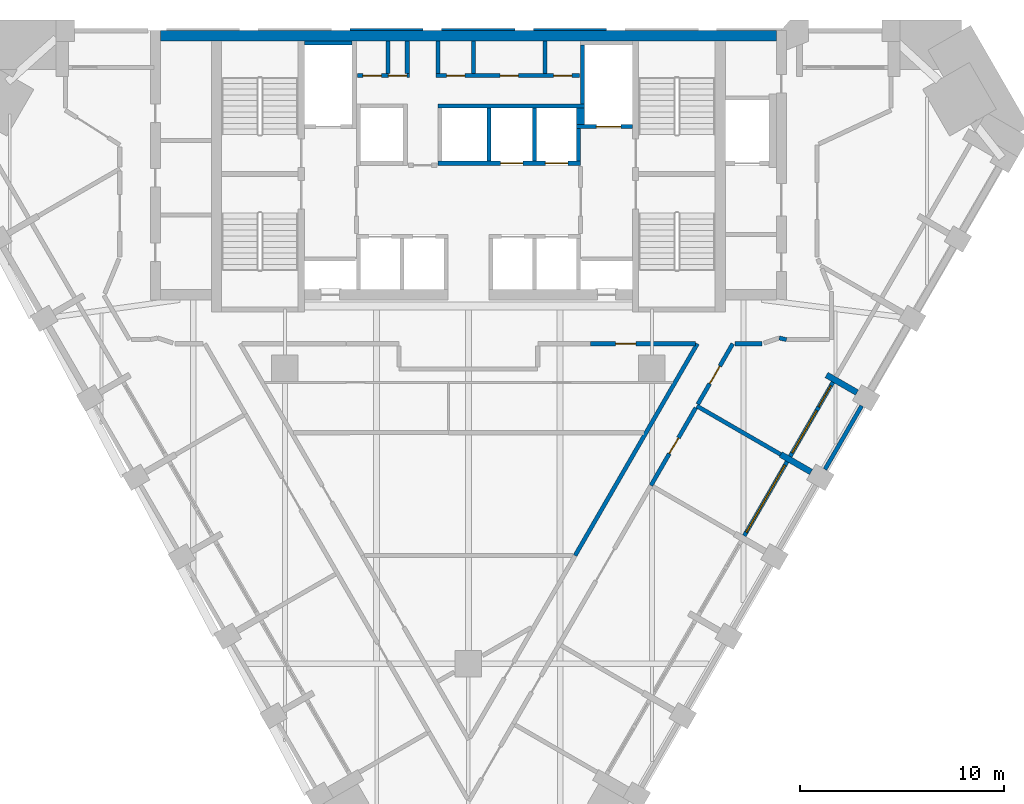
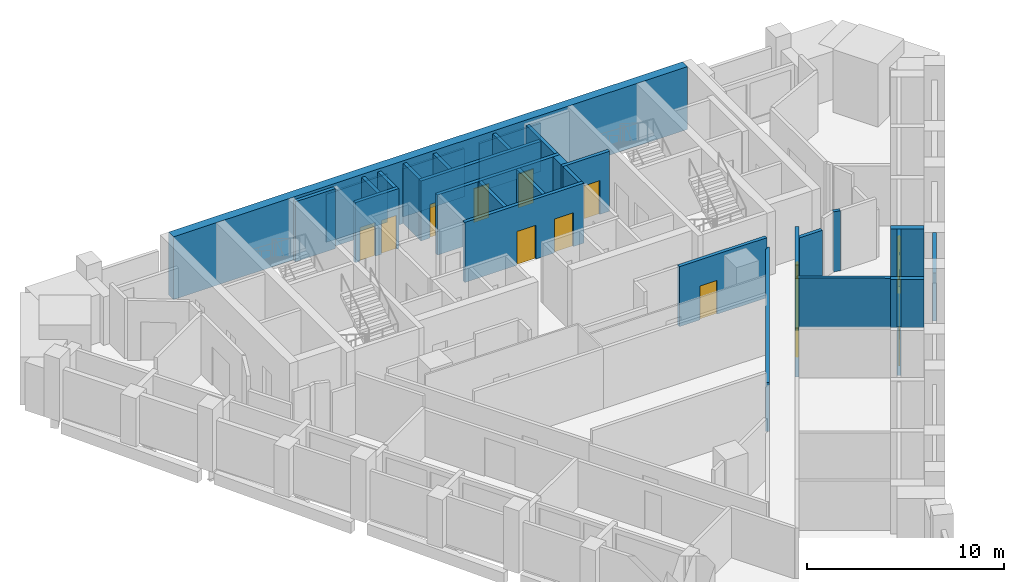
# One storey, part 6 of 9: 32 walls, 12 doors, 2 windows, 14 openings.
"""IFC4 building model written with IfcOpenShell, lengths in metres."""

from ifc_helpers import new_model, si_unit, direction, frame, frame_2d, origin, place, context, subcontext, project, spatial, polyline, rectangle, outline, extrude, material, layer, layer_set, type_object, element, fill, save


model = new_model("IFC4")

# Units and contexts
model_context = context("Model", 3, precision=1e-05, world=origin(), true_north=direction((0.0, 1.0)))
body_context = subcontext(model_context, "Body", "Model", "MODEL_VIEW")
ifc_project = project(units=[si_unit("LENGTHUNIT", "METRE"), si_unit("AREAUNIT", "SQUARE_METRE"), si_unit("VOLUMEUNIT", "CUBIC_METRE"), si_unit("PLANEANGLEUNIT", "RADIAN"), si_unit("MASSUNIT", "GRAM", prefix="KILO")], contexts=[model_context])

# Site, building, storey
site_placement = place(None, origin())
site = spatial("IfcSite", under=ifc_project, at=site_placement, CompositionType="ELEMENT")
building_placement = place(site_placement, origin())
building = spatial("IfcBuilding", under=site, at=building_placement, Name="Calabash Gate Tower", CompositionType="ELEMENT")
storey_placement = place(building_placement, frame((0.0, 0.0, 171.89990234375)))
storey = spatial("IfcBuildingStorey", under=building, at=storey_placement, Name="L40", CompositionType="ELEMENT", Elevation=171.89990234375)

# Walls
ifc_material_1 = material(Name="Terracotta brick masonry, exposed face", Category="masonry")
ifc_layer_1 = layer(ifc_material_1, 0.300048828125)
ifc_layer_set_1 = layer_set([ifc_layer_1], Name="Brick loggia cheek wall 300")
wall_type_1 = type_object("IfcWallType", Name="Brick loggia cheek wall 300", PredefinedType="SOLIDWALL", material=ifc_layer_set_1)
wall_1_placement = place(storey_placement, frame((16.807373046875, -2.59228515625, 0.0), z_axis=(0.0, 0.0, 1.0), x_axis=(-0.865994550583, 0.500053435504, 0.0)))
element("IfcWall", 1, at=wall_1_placement, inside=storey, type_object=wall_type_1, Name="Loggia cheek S11 SE4.4", PredefinedType="SOLIDWALL", context=body_context, shape_type="SweptSolid", body=[
    extrude(rectangle(XDim=1.723876953125, YDim=0.300048828125, at=frame_2d((0.86181640625, 0.0))), origin(), (0.0, 0.0, 1.0), 3.0),
])
wall_2_placement = place(storey_placement, frame((19.058349609375, 1.30419921875, 0.0), z_axis=(0.0, 0.0, 1.0), x_axis=(-0.866013532718, 0.500020560727, 0.0)))
element("IfcWall", 2, at=wall_2_placement, inside=storey, type_object=wall_type_1, Name="Loggia cheek S11 SE4.5", PredefinedType="SOLIDWALL", context=body_context, shape_type="SweptSolid", body=[
    extrude(rectangle(XDim=1.72509765625, YDim=0.300048828125, at=frame_2d((0.862548828125, 0.0))), origin(), (0.0, 0.0, 1.0), 3.0),
])
ifc_material_2 = material(Name="Gypsum board on steel studs, mineral wool", Category="steel")
ifc_layer_2 = layer(ifc_material_2, 0.199951171875)
ifc_layer_set_2 = layer_set([ifc_layer_2], Name="Core partition 200 gypsum board")
wall_type_2 = type_object("IfcWallType", Name="Core partition 200 gypsum board", PredefinedType="PARTITIONING", material=ifc_layer_set_2)
for number, where, z_axis, x_axis, name in (
    (3, (-3.949951171875, 16.95263671875, 0.0), (0.0, 0.0, 1.0), (0.0, 1.0, 0.0), "Core partition"),
    (4, (-3.0, 16.95263671875, 0.0), (0.0, 0.0, 1.0), (0.0, 1.0, 0.0), "Core partition"),
    (5, (-1.5, 16.95263671875, 0.0), (0.0, 0.0, 1.0), (0.0, 1.0, 0.0), "Core partition"),
    (6, (0.25, 16.95263671875, 0.0), (0.0, 0.0, 1.0), (0.0, 1.0, 0.0), "Core partition"),
    (7, (3.75, 16.95263671875, 0.0), (0.0, 0.0, 1.0), (0.0, 1.0, 0.0), "Core partition"),
):
    element("IfcWall", number, at=place(storey_placement, frame(where, z_axis=z_axis, x_axis=x_axis)), inside=storey, type_object=wall_type_2, Name=name, PredefinedType="PARTITIONING", context=body_context, shape_type="SweptSolid", body=[
        extrude(rectangle(XDim=1.599853515625, YDim=0.199951171875, at=frame_2d((0.7998046875, 0.0))), origin(), (0.0, 0.0, 1.0), 3.72998046875),
    ])
ifc_material_3 = material(Name="Concrete C70/85", Category="concrete")
ifc_layer_3 = layer(ifc_material_3, 0.5)
ifc_layer_set_3 = layer_set([ifc_layer_3], Name="Core wall 500 Concrete C70/85")
wall_type_3 = type_object("IfcWallType", Name="Core wall 500 Concrete C70/85", PredefinedType="SHEAR", material=ifc_layer_set_3)
wall_3_placement = place(storey_placement, frame((-15.10009765625, 18.802490234375, 0.0), z_axis=(0.0, 0.0, 1.0), x_axis=(1.0, 0.0, 0.0)))
element("IfcWall", 8, at=wall_3_placement, inside=storey, type_object=wall_type_3, Name="Core wall Z3-N L40", PredefinedType="SHEAR", context=body_context, shape_type="SweptSolid", body=[
    extrude(rectangle(XDim=30.2001953125, YDim=0.5, at=frame_2d((15.10009765625, 0.0))), origin(), (0.0, 0.0, 1.0), 3.900146484375),
])
ifc_material_4 = material(Name="Gypsum board on steel studs, mineral wool", Category="steel")
ifc_layer_4 = layer(ifc_material_4, 0.199951171875)
ifc_layer_set_4 = layer_set([ifc_layer_4], Name="Partition 200 gypsum board EI 60")
wall_type_4 = type_object("IfcWallType", Name="Partition 200 gypsum board EI 60", PredefinedType="PARTITIONING", material=ifc_layer_set_4)
wall_4_placement = place(storey_placement, frame((5.232666015625, -6.6884765625, 0.0), z_axis=(0.0, 0.0, 1.0), x_axis=(0.499991401208, 0.866030368243, 0.0)))
element("IfcWall", 9, at=wall_4_placement, inside=storey, type_object=wall_type_4, Name="Partition", PredefinedType="PARTITIONING", context=body_context, shape_type="SweptSolid", body=[
    extrude(rectangle(XDim=11.996337890625, YDim=0.199951171875, at=frame_2d((5.998046875, 0.0))), origin(), (0.0, 0.0, 1.0), 3.052001953125),
])

# Wall, opening, door
wall_5_placement = place(storey_placement, frame((8.95361328125, -3.251708984375, 0.0), z_axis=(0.0, 0.0, 1.0), x_axis=(0.499989943423, 0.866031209874, 0.0)))
wall_5 = element("IfcWall", 10, at=wall_5_placement, inside=storey, type_object=wall_type_4, Name="Partition", PredefinedType="PARTITIONING", context=body_context, shape_type="SweptSolid", body=[
    extrude(rectangle(XDim=4.39794921875, YDim=0.199951171875, at=frame_2d((2.198974609375, 0.0))), origin(), (0.0, 0.0, 1.0), 3.052001953125),
])
opening_1_placement = place(wall_5_placement, frame((1.798095703125, 0.0, 0.0)))
opening_1 = element("IfcOpeningElement", 11, at=opening_1_placement, cuts=wall_5, Name="Opening 39-41-005", PredefinedType="OPENING", context=body_context, shape_type="SweptSolid", body=[
    extrude(rectangle(XDim=0.89990234375, YDim=2.10009765625, at=frame_2d((0.449951171875, 1.050048828125))), frame((0.0, 0.10986328125, 0.0), z_axis=(0.0, -1.0, 0.0), x_axis=(1.0, 0.0, 0.0)), (0.0, 0.0, 1.0), 0.219970703125),
])
ifc_material_5 = material(Name="Steel fire door set with fire-resisting glazing", Category="steel")
door_type_1 = type_object("IfcDoorType", Name="SD3 Store door 900x2100", OperationType="NOTDEFINED", PredefinedType="DOOR", material=ifc_material_5)
door_1_placement = place(opening_1_placement, origin())
door_1 = element("IfcDoor", 12, at=door_1_placement, inside=storey, type_object=door_type_1, Name="Store door", OperationType="SINGLE_SWING_LEFT", OverallHeight=2.10009765625, OverallWidth=0.89990234375, PredefinedType="DOOR", context=body_context, shape_type="SweptSolid", body=[
    extrude(rectangle(XDim=0.89990234375, YDim=2.10009765625, at=frame_2d((0.449951171875, 1.050048828125))), frame((0.0, 0.02490234375, 0.0), z_axis=(0.0, -1.0, 0.0), x_axis=(1.0, 0.0, 0.0)), (0.0, 0.0, 1.0), 0.050048828125),
])
fill(opening_1, door_1)

# Wall
wall_6_placement = place(storey_placement, frame((11.2021484375, 0.646240234375, 0.0), z_axis=(0.0, 0.0, 1.0), x_axis=(0.865857651242, -0.500290443428, 0.0)))
element("IfcWall", 13, at=wall_6_placement, inside=storey, type_object=wall_type_4, Name="Partition", PredefinedType="PARTITIONING", context=body_context, shape_type="SweptSolid", body=[
    extrude(rectangle(XDim=4.749755859375, YDim=0.199951171875, at=frame_2d((2.375, 0.0))), origin(), (0.0, 0.0, 1.0), 3.052001953125),
])

# Wall, opening, door
wall_7_placement = place(storey_placement, frame((5.99365234375, 3.699951171875, 0.0), z_axis=(0.0, 0.0, 1.0), x_axis=(0.999999998871, -4.7510452e-05, 0.0)))
wall_7 = element("IfcWall", 14, at=wall_7_placement, inside=storey, type_object=wall_type_4, Name="Partition", PredefinedType="PARTITIONING", context=body_context, shape_type="SweptSolid", body=[
    extrude(rectangle(XDim=5.138671875, YDim=0.199951171875, at=frame_2d((2.5693359375, 0.0))), origin(), (0.0, 0.0, 1.0), 3.72998046875),
])
opening_2_placement = place(wall_7_placement, frame((1.222412109375, 0.0, 0.0)))
opening_2 = element("IfcOpeningElement", 15, at=opening_2_placement, cuts=wall_7, Name="Opening 39-41-014", PredefinedType="OPENING", context=body_context, shape_type="SweptSolid", body=[
    extrude(rectangle(XDim=1.0, YDim=2.10009765625, at=frame_2d((0.5, 1.050048828125))), frame((0.0, 0.10986328125, 0.0), z_axis=(0.0, -1.0, 0.0), x_axis=(1.0, 0.0, 0.0)), (0.0, 0.0, 1.0), 0.219970703125),
])
ifc_material_6 = material(Name="Steel fire door set with fire-resisting glazing", Category="steel")
door_type_2 = type_object("IfcDoorType", Name="WD3 WC lobby door 1000x2100", OperationType="NOTDEFINED", PredefinedType="DOOR", material=ifc_material_6)
door_2_placement = place(opening_2_placement, origin())
door_2 = element("IfcDoor", 16, at=door_2_placement, inside=storey, type_object=door_type_2, Name="WC lobby door", OperationType="SINGLE_SWING_RIGHT", OverallHeight=2.10009765625, OverallWidth=1.0, PredefinedType="DOOR", context=body_context, shape_type="SweptSolid", body=[
    extrude(rectangle(XDim=1.0, YDim=2.10009765625, at=frame_2d((0.5, 1.050048828125))), frame((0.0, 0.02490234375, 0.0), z_axis=(0.0, -1.0, 0.0), x_axis=(1.0, 0.0, 0.0)), (0.0, 0.0, 1.0), 0.050048828125),
])
fill(opening_2, door_2)

wall_8_placement = place(storey_placement, frame((11.252685546875, 0.730712890625, 0.0), z_axis=(0.0, 0.0, 1.0), x_axis=(0.499648448578, 0.866228276976, 0.0)))
wall_8 = element("IfcWall", 17, at=wall_8_placement, inside=storey, type_object=wall_type_4, Name="Partition", PredefinedType="PARTITIONING", context=body_context, shape_type="SweptSolid", body=[
    extrude(rectangle(XDim=3.42724609375, YDim=0.199951171875, at=frame_2d((1.713623046875, 0.0))), origin(), (0.0, 0.0, 1.0), 3.72998046875),
])
opening_3_placement = place(wall_8_placement, frame((1.163818359375, 0.0, 0.0)))
opening_3 = element("IfcOpeningElement", 18, at=opening_3_placement, cuts=wall_8, Name="Opening 39-41-012", PredefinedType="OPENING", context=body_context, shape_type="SweptSolid", body=[
    extrude(rectangle(XDim=1.0, YDim=2.39990234375, at=frame_2d((0.5, 1.199951171875))), frame((0.0, 0.10986328125, 0.0), z_axis=(0.0, -1.0, 0.0), x_axis=(1.0, 0.0, 0.0)), (0.0, 0.0, 1.0), 0.219970703125),
])
ifc_material_7 = material(Name="Painted timber door", Category="wood")
door_type_3 = type_object("IfcDoorType", Name="OD2 Glazed office door 1000x2400", OperationType="NOTDEFINED", PredefinedType="DOOR", material=ifc_material_7)
door_3_placement = place(opening_3_placement, origin())
door_3 = element("IfcDoor", 19, at=door_3_placement, inside=storey, type_object=door_type_3, Name="Glazed office door", OperationType="SINGLE_SWING_RIGHT", OverallHeight=2.39990234375, OverallWidth=1.0, PredefinedType="DOOR", context=body_context, shape_type="SweptSolid", body=[
    extrude(rectangle(XDim=1.0, YDim=2.39990234375, at=frame_2d((0.5, 1.199951171875))), frame((0.0, 0.02490234375, 0.0), z_axis=(0.0, -1.0, 0.0), x_axis=(1.0, 0.0, 0.0)), (0.0, 0.0, 1.0), 0.050048828125),
])
fill(opening_3, door_3)

# Walls
wall_9_placement = place(storey_placement, frame((13.065185546875, 3.699462890625, 0.0), z_axis=(0.0, 0.0, 1.0), x_axis=(1.0, 0.0, 0.0)))
element("IfcWall", 20, at=wall_9_placement, inside=storey, type_object=wall_type_4, Name="Partition", PredefinedType="PARTITIONING", context=body_context, shape_type="SweptSolid", body=[
    extrude(rectangle(XDim=1.3349609375, YDim=0.199951171875, at=frame_2d((0.66748046875, 0.0))), origin(), (0.0, 0.0, 1.0), 3.052001953125),
])
wall_10_placement = place(storey_placement, frame((15.24560546875, 3.9814453125, 0.0), z_axis=(0.0, 0.0, 1.0), x_axis=(0.974255315496, -0.225447511024, 0.0)))
element("IfcWall", 21, at=wall_10_placement, inside=storey, type_object=wall_type_4, Name="Partition", PredefinedType="PARTITIONING", context=body_context, shape_type="SweptSolid", body=[
    extrude(rectangle(XDim=0.36376953125, YDim=0.199951171875, at=frame_2d((0.181884765625, 0.0))), origin(), (0.0, 0.0, 1.0), 3.72998046875),
])

# Wall, openings, doors
ifc_material_8 = material(Name="Concrete C40/50", Category="concrete")
ifc_layer_5 = layer(ifc_material_8, 0.199951171875)
ifc_layer_set_5 = layer_set([ifc_layer_5], Name="Shaft wall 200 Concrete C40/50")
wall_type_5 = type_object("IfcWallType", Name="Shaft wall 200 Concrete C40/50", PredefinedType="SOLIDWALL", material=ifc_layer_set_5)
wall_11_placement = place(storey_placement, frame((-1.5, 12.552490234375, 0.0), z_axis=(0.0, 0.0, 1.0), x_axis=(1.0, 0.0, 0.0)))
wall_11 = element("IfcWall", 22, at=wall_11_placement, inside=storey, type_object=wall_type_5, Name="Shaft wall", PredefinedType="SOLIDWALL", context=body_context, shape_type="SweptSolid", body=[
    extrude(rectangle(XDim=7.0, YDim=0.199951171875, at=frame_2d((3.5, 0.0))), origin(), (0.0, 0.0, 1.0), 3.72998046875),
])
opening_4_placement = place(wall_11_placement, frame((3.074951171875, 0.0, 0.0)))
opening_4 = element("IfcOpeningElement", 23, at=opening_4_placement, cuts=wall_11, Name="Opening LD-HR5", PredefinedType="OPENING", context=body_context, shape_type="SweptSolid", body=[
    extrude(rectangle(XDim=1.10009765625, YDim=2.10009765625, at=frame_2d((0.550048828125, 1.050048828125))), frame((0.0, 0.10986328125, 0.0), z_axis=(0.0, -1.0, 0.0), x_axis=(1.0, 0.0, 0.0)), (0.0, 0.0, 1.0), 0.219970703125),
])
opening_5_placement = place(wall_11_placement, frame((5.27490234375, 0.0, 0.0)))
opening_5 = element("IfcOpeningElement", 24, at=opening_5_placement, cuts=wall_11, Name="Opening LD-HR6", PredefinedType="OPENING", context=body_context, shape_type="SweptSolid", body=[
    extrude(rectangle(XDim=1.10009765625, YDim=2.10009765625, at=frame_2d((0.550048828125, 1.050048828125))), frame((0.0, 0.10986328125, 0.0), z_axis=(0.0, -1.0, 0.0), x_axis=(1.0, 0.0, 0.0)), (0.0, 0.0, 1.0), 0.219970703125),
])
ifc_material_9 = material(Name="Stainless steel sliding door leaves", Category="steel")
door_type_4 = type_object("IfcDoorType", Name="Lift landing door LS1 1100x2100 FD90", OperationType="DOUBLE_DOOR_SLIDING", PredefinedType="DOOR", material=ifc_material_9)
door_4_placement = place(opening_4_placement, origin())
door_4 = element("IfcDoor", 25, at=door_4_placement, inside=storey, type_object=door_type_4, Name="Lift landing door HR5", OperationType="DOUBLE_DOOR_SLIDING", OverallHeight=2.10009765625, OverallWidth=1.10009765625, PredefinedType="DOOR", context=body_context, shape_type="SweptSolid", body=[
    extrude(rectangle(XDim=1.10009765625, YDim=2.10009765625, at=frame_2d((0.550048828125, 1.050048828125))), frame((0.0, 0.02490234375, 0.0), z_axis=(0.0, -1.0, 0.0), x_axis=(1.0, 0.0, 0.0)), (0.0, 0.0, 1.0), 0.050048828125),
])
fill(opening_4, door_4)
door_5_placement = place(opening_5_placement, origin())
door_5 = element("IfcDoor", 26, at=door_5_placement, inside=storey, type_object=door_type_4, Name="Lift landing door HR6", OperationType="DOUBLE_DOOR_SLIDING", OverallHeight=2.10009765625, OverallWidth=1.10009765625, PredefinedType="DOOR", context=body_context, shape_type="SweptSolid", body=[
    extrude(rectangle(XDim=1.10009765625, YDim=2.10009765625, at=frame_2d((0.550048828125, 1.050048828125))), frame((0.0, 0.02490234375, 0.0), z_axis=(0.0, -1.0, 0.0), x_axis=(1.0, 0.0, 0.0)), (0.0, 0.0, 1.0), 0.050048828125),
])
fill(opening_5, door_5)

# Walls
for number, where, z_axis, x_axis, name in (
    (27, (1.0, 12.652587890625, 0.0), (0.0, 0.0, 1.0), (0.0, 1.0, 0.0), "Shaft wall"),
    (28, (3.25, 12.652587890625, 0.0), (0.0, 0.0, 1.0), (0.0, 1.0, 0.0), "Shaft wall"),
):
    element("IfcWall", number, at=place(storey_placement, frame(where, z_axis=z_axis, x_axis=x_axis)), inside=storey, type_object=wall_type_5, Name=name, PredefinedType="SOLIDWALL", context=body_context, shape_type="SweptSolid", body=[
        extrude(rectangle(XDim=2.60009765625, YDim=0.199951171875, at=frame_2d((1.300048828125, 0.0))), origin(), (0.0, 0.0, 1.0), 3.72998046875),
    ])
wall_12_placement = place(storey_placement, frame((5.39990234375, 12.652587890625, 0.0), z_axis=(0.0, 0.0, 1.0), x_axis=(0.0, 1.0, 0.0)))
element("IfcWall", 29, at=wall_12_placement, inside=storey, type_object=wall_type_5, Name="Shaft wall", PredefinedType="SOLIDWALL", context=body_context, shape_type="SweptSolid", body=[
    extrude(rectangle(XDim=1.60009765625, YDim=0.199951171875, at=frame_2d((0.800048828125, 0.0))), origin(), (0.0, 0.0, 1.0), 3.72998046875),
])

# Wall, opening, door
wall_13_placement = place(storey_placement, frame((5.300048828125, 14.3525390625, 0.0), z_axis=(0.0, 0.0, 1.0), x_axis=(1.0, 0.0, 0.0)))
wall_13 = element("IfcWall", 30, at=wall_13_placement, inside=storey, type_object=wall_type_5, Name="Shaft wall", PredefinedType="SOLIDWALL", context=body_context, shape_type="SweptSolid", body=[
    extrude(rectangle(XDim=2.75, YDim=0.199951171875, at=frame_2d((1.375, 0.0))), origin(), (0.0, 0.0, 1.0), 3.72998046875),
])
opening_6_placement = place(wall_13_placement, frame((0.97509765625, 0.0, 0.0)))
opening_6 = element("IfcOpeningElement", 31, at=opening_6_placement, cuts=wall_13, Name="Opening LD-FF2", PredefinedType="OPENING", context=body_context, shape_type="SweptSolid", body=[
    extrude(rectangle(XDim=1.199951171875, YDim=2.10009765625, at=frame_2d((0.60009765625, 1.050048828125))), frame((0.0, 0.10986328125, 0.0), z_axis=(0.0, -1.0, 0.0), x_axis=(1.0, 0.0, 0.0)), (0.0, 0.0, 1.0), 0.219970703125),
])
ifc_material_10 = material(Name="Stainless steel sliding door leaves", Category="steel")
door_type_5 = type_object("IfcDoorType", Name="Lift landing door LS3 1200x2100 FD90", OperationType="DOUBLE_DOOR_SLIDING", PredefinedType="DOOR", material=ifc_material_10)
door_6_placement = place(opening_6_placement, origin())
door_6 = element("IfcDoor", 32, at=door_6_placement, inside=storey, type_object=door_type_5, Name="Lift landing door FF2", OperationType="DOUBLE_DOOR_SLIDING", OverallHeight=2.10009765625, OverallWidth=1.199951171875, PredefinedType="DOOR", context=body_context, shape_type="SweptSolid", body=[
    extrude(rectangle(XDim=1.199951171875, YDim=2.10009765625, at=frame_2d((0.60009765625, 1.050048828125))), frame((0.0, 0.02490234375, 0.0), z_axis=(0.0, -1.0, 0.0), x_axis=(1.0, 0.0, 0.0)), (0.0, 0.0, 1.0), 0.050048828125),
])
fill(opening_6, door_6)

# Walls
wall_14_placement = place(storey_placement, frame((5.5, 14.45263671875, 0.0), z_axis=(0.0, 0.0, 1.0), x_axis=(0.0, 1.0, 0.0)))
element("IfcWall", 33, at=wall_14_placement, inside=storey, type_object=wall_type_5, Name="Shaft wall", PredefinedType="SOLIDWALL", context=body_context, shape_type="SweptSolid", body=[
    extrude(rectangle(XDim=0.800048828125, YDim=0.39990234375, at=frame_2d((0.39990234375, 0.0))), origin(), (0.0, 0.0, 1.0), 3.72998046875),
])
wall_15_placement = place(storey_placement, frame((-1.5, 15.3525390625, 0.0), z_axis=(0.0, 0.0, 1.0), x_axis=(1.0, 0.0, 0.0)))
element("IfcWall", 34, at=wall_15_placement, inside=storey, type_object=wall_type_5, Name="Shaft wall", PredefinedType="SOLIDWALL", context=body_context, shape_type="SweptSolid", body=[
    extrude(rectangle(XDim=7.199951171875, YDim=0.199951171875, at=frame_2d((3.60009765625, 0.0))), origin(), (0.0, 0.0, 1.0), 3.72998046875),
])
wall_16_placement = place(storey_placement, frame((5.60009765625, 15.45263671875, 0.0), z_axis=(0.0, 0.0, 1.0), x_axis=(0.0, 1.0, 0.0)))
element("IfcWall", 35, at=wall_16_placement, inside=storey, type_object=wall_type_5, Name="Shaft wall", PredefinedType="SOLIDWALL", context=body_context, shape_type="SweptSolid", body=[
    extrude(rectangle(XDim=2.89990234375, YDim=0.199951171875, at=frame_2d((1.449951171875, 0.0))), origin(), (0.0, 0.0, 1.0), 3.72998046875),
])

# Wall, openings, doors
wall_17_placement = place(storey_placement, frame((-5.449951171875, 16.8525390625, 0.0), z_axis=(0.0, 0.0, 1.0), x_axis=(1.0, 0.0, 0.0)))
wall_17 = element("IfcWall", 36, at=wall_17_placement, inside=storey, type_object=wall_type_5, Name="Shaft wall", PredefinedType="SOLIDWALL", context=body_context, shape_type="SweptSolid", body=[
    extrude(rectangle(XDim=2.550048828125, YDim=0.199951171875, at=frame_2d((1.27490234375, 0.0))), origin(), (0.0, 0.0, 1.0), 3.72998046875),
])
opening_7_placement = place(wall_17_placement, frame((0.27490234375, 0.0, 0.0)))
opening_7 = element("IfcOpeningElement", 37, at=opening_7_placement, cuts=wall_17, Name="Opening O3-010", PredefinedType="OPENING", context=body_context, shape_type="SweptSolid", body=[
    extrude(rectangle(XDim=0.89990234375, YDim=2.10009765625, at=frame_2d((0.449951171875, 1.050048828125))), frame((0.0, 0.10986328125, 0.0), z_axis=(0.0, -1.0, 0.0), x_axis=(1.0, 0.0, 0.0)), (0.0, 0.0, 1.0), 0.219970703125),
])
opening_8_placement = place(wall_17_placement, frame((1.52490234375, 0.0, 0.0)))
opening_8 = element("IfcOpeningElement", 38, at=opening_8_placement, cuts=wall_17, Name="Opening O3-011", PredefinedType="OPENING", context=body_context, shape_type="SweptSolid", body=[
    extrude(rectangle(XDim=0.89990234375, YDim=2.10009765625, at=frame_2d((0.449951171875, 1.050048828125))), frame((0.0, 0.10986328125, 0.0), z_axis=(0.0, -1.0, 0.0), x_axis=(1.0, 0.0, 0.0)), (0.0, 0.0, 1.0), 0.219970703125),
])
ifc_material_11 = material(Name="Steel fire door set with fire-resisting glazing", Category="steel")
door_type_6 = type_object("IfcDoorType", Name="Fire door D06 900x2100 FD60", OperationType="NOTDEFINED", PredefinedType="DOOR", material=ifc_material_11)
door_7_placement = place(opening_7_placement, origin())
door_7 = element("IfcDoor", 39, at=door_7_placement, inside=storey, type_object=door_type_6, Name="Accessible WC door", OperationType="SINGLE_SWING_LEFT", OverallHeight=2.10009765625, OverallWidth=0.89990234375, PredefinedType="DOOR", context=body_context, shape_type="SweptSolid", body=[
    extrude(rectangle(XDim=0.89990234375, YDim=2.10009765625, at=frame_2d((0.449951171875, 1.050048828125))), frame((0.0, 0.02490234375, 0.0), z_axis=(0.0, -1.0, 0.0), x_axis=(1.0, 0.0, 0.0)), (0.0, 0.0, 1.0), 0.050048828125),
])
fill(opening_7, door_7)
door_8_placement = place(opening_8_placement, origin())
door_8 = element("IfcDoor", 40, at=door_8_placement, inside=storey, type_object=door_type_6, Name="Print Room door", OperationType="SINGLE_SWING_LEFT", OverallHeight=2.10009765625, OverallWidth=0.89990234375, PredefinedType="DOOR", context=body_context, shape_type="SweptSolid", body=[
    extrude(rectangle(XDim=0.89990234375, YDim=2.10009765625, at=frame_2d((0.449951171875, 1.050048828125))), frame((0.0, 0.02490234375, 0.0), z_axis=(0.0, -1.0, 0.0), x_axis=(1.0, 0.0, 0.0)), (0.0, 0.0, 1.0), 0.050048828125),
])
fill(opening_8, door_8)

wall_18_placement = place(storey_placement, frame((-1.60009765625, 16.8525390625, 0.0), z_axis=(0.0, 0.0, 1.0), x_axis=(1.0, 0.0, 0.0)))
wall_18 = element("IfcWall", 41, at=wall_18_placement, inside=storey, type_object=wall_type_5, Name="Shaft wall", PredefinedType="SOLIDWALL", context=body_context, shape_type="SweptSolid", body=[
    extrude(rectangle(XDim=7.050048828125, YDim=0.199951171875, at=frame_2d((3.52490234375, 0.0))), origin(), (0.0, 0.0, 1.0), 3.72998046875),
])
opening_9_placement = place(wall_18_placement, frame((0.52490234375, 0.0, 0.0)))
opening_9 = element("IfcOpeningElement", 42, at=opening_9_placement, cuts=wall_18, Name="Opening O3-012", PredefinedType="OPENING", context=body_context, shape_type="SweptSolid", body=[
    extrude(rectangle(XDim=0.89990234375, YDim=2.10009765625, at=frame_2d((0.449951171875, 1.050048828125))), frame((0.0, 0.10986328125, 0.0), z_axis=(0.0, -1.0, 0.0), x_axis=(1.0, 0.0, 0.0)), (0.0, 0.0, 1.0), 0.219970703125),
])
opening_10_placement = place(wall_18_placement, frame((3.14990234375, 0.0, 0.0)))
opening_10 = element("IfcOpeningElement", 43, at=opening_10_placement, cuts=wall_18, Name="Opening O3-013", PredefinedType="OPENING", context=body_context, shape_type="SweptSolid", body=[
    extrude(rectangle(XDim=0.89990234375, YDim=2.10009765625, at=frame_2d((0.449951171875, 1.050048828125))), frame((0.0, 0.10986328125, 0.0), z_axis=(0.0, -1.0, 0.0), x_axis=(1.0, 0.0, 0.0)), (0.0, 0.0, 1.0), 0.219970703125),
])
opening_11_placement = place(wall_18_placement, frame((5.77490234375, 0.0, 0.0)))
opening_11 = element("IfcOpeningElement", 44, at=opening_11_placement, cuts=wall_18, Name="Opening O3-014", PredefinedType="OPENING", context=body_context, shape_type="SweptSolid", body=[
    extrude(rectangle(XDim=0.89990234375, YDim=2.10009765625, at=frame_2d((0.449951171875, 1.050048828125))), frame((0.0, 0.10986328125, 0.0), z_axis=(0.0, -1.0, 0.0), x_axis=(1.0, 0.0, 0.0)), (0.0, 0.0, 1.0), 0.219970703125),
])
door_9_placement = place(opening_9_placement, origin())
door_9 = element("IfcDoor", 45, at=door_9_placement, inside=storey, type_object=door_type_6, Name="Meter Room door", OperationType="SINGLE_SWING_LEFT", OverallHeight=2.10009765625, OverallWidth=0.89990234375, PredefinedType="DOOR", context=body_context, shape_type="SweptSolid", body=[
    extrude(rectangle(XDim=0.89990234375, YDim=2.10009765625, at=frame_2d((0.449951171875, 1.050048828125))), frame((0.0, 0.02490234375, 0.0), z_axis=(0.0, -1.0, 0.0), x_axis=(1.0, 0.0, 0.0)), (0.0, 0.0, 1.0), 0.050048828125),
])
fill(opening_9, door_9)
door_10_placement = place(opening_10_placement, origin())
door_10 = element("IfcDoor", 46, at=door_10_placement, inside=storey, type_object=door_type_6, Name="Cleaner's Store door", OperationType="SINGLE_SWING_LEFT", OverallHeight=2.10009765625, OverallWidth=0.89990234375, PredefinedType="DOOR", context=body_context, shape_type="SweptSolid", body=[
    extrude(rectangle(XDim=0.89990234375, YDim=2.10009765625, at=frame_2d((0.449951171875, 1.050048828125))), frame((0.0, 0.02490234375, 0.0), z_axis=(0.0, -1.0, 0.0), x_axis=(1.0, 0.0, 0.0)), (0.0, 0.0, 1.0), 0.050048828125),
])
fill(opening_10, door_10)
door_11_placement = place(opening_11_placement, origin())
door_11 = element("IfcDoor", 47, at=door_11_placement, inside=storey, type_object=door_type_6, Name="Tenant Pantry door", OperationType="SINGLE_SWING_RIGHT", OverallHeight=2.10009765625, OverallWidth=0.89990234375, PredefinedType="DOOR", context=body_context, shape_type="SweptSolid", body=[
    extrude(rectangle(XDim=0.89990234375, YDim=2.10009765625, at=frame_2d((0.449951171875, 1.050048828125))), frame((0.0, 0.02490234375, 0.0), z_axis=(0.0, -1.0, 0.0), x_axis=(1.0, 0.0, 0.0)), (0.0, 0.0, 1.0), 0.050048828125),
])
fill(opening_11, door_11)

# Walls
wall_19_placement = place(storey_placement, frame((-8.050048828125, 18.45263671875, 0.0), z_axis=(0.0, 0.0, 1.0), x_axis=(1.0, 0.0, 0.0)))
element("IfcWall", 48, at=wall_19_placement, inside=storey, type_object=wall_type_5, Name="Shaft wall", PredefinedType="SOLIDWALL", context=body_context, shape_type="SweptSolid", body=[
    extrude(rectangle(XDim=2.35009765625, YDim=0.199951171875, at=frame_2d((1.175048828125, 0.0))), origin(), (0.0, 0.0, 1.0), 3.72998046875),
])
ifc_material_12 = material(Name="Terracotta brick masonry, perforated", Category="masonry")
ifc_layer_6 = layer(ifc_material_12, 0.1201171875)
ifc_layer_set_6 = layer_set([ifc_layer_6], Name="Terracotta jaali cladding A 120")
wall_type_6 = type_object("IfcWallType", Name="Terracotta jaali cladding A 120", PredefinedType="SOLIDWALL", material=ifc_layer_set_6)
wall_20_placement = place(storey_placement, origin())
element("IfcWall", 49, at=wall_20_placement, inside=storey, type_object=wall_type_6, Name="Jaali cladding S11 N6.5", PredefinedType="SOLIDWALL", context=body_context, shape_type="SweptSolid", body=[
    extrude(outline(polyline([(-1.3203125, 19.172607421875), (-1.3203125, 19.052490234375), (2.279541015625, 19.052490234375), (2.279541015625, 19.172607421875), (-1.3203125, 19.172607421875)])), origin(), (0.0, 0.0, 1.0), 3.0),
])
ifc_material_13 = material(Name="Terracotta brick masonry, perforated", Category="masonry")
ifc_layer_7 = layer(ifc_material_13, 0.199951171875)
ifc_layer_set_7 = layer_set([ifc_layer_7], Name="Terracotta jaali screen A")
wall_type_7 = type_object("IfcWallType", Name="Terracotta jaali screen A", PredefinedType="SOLIDWALL", material=ifc_layer_set_7)
wall_21_placement = place(storey_placement, origin())
element("IfcWall", 50, at=wall_21_placement, inside=storey, type_object=wall_type_7, Name="SCREEN A S11 SE4.5", PredefinedType="SOLIDWALL", context=body_context, shape_type="SweptSolid", body=[
    extrude(outline(polyline([(19.201416015625, 0.7021484375), (17.40234375, -2.413818359375), (17.57568359375, -2.513916015625), (19.37451171875, 0.60205078125), (19.201416015625, 0.7021484375)])), origin(), (0.0, 0.0, 1.0), 3.0),
])
ifc_material_14 = material(Name="Terracotta louvre blades in an aluminium frame", Category="masonry")
ifc_layer_8 = layer(ifc_material_14, 0.1201171875)
ifc_layer_set_8 = layer_set([ifc_layer_8], Name="Terracotta vent louvre cladding 120")
wall_type_8 = type_object("IfcWallType", Name="Terracotta vent louvre cladding 120", PredefinedType="ELEMENTEDWALL", material=ifc_layer_set_8)
wall_22_placement = place(storey_placement, origin())
element("IfcWall", 51, at=wall_22_placement, inside=storey, type_object=wall_type_8, Name="Vent louvre cladding S11 N6.4", PredefinedType="ELEMENTEDWALL", context=body_context, shape_type="SweptSolid", body=[
    extrude(outline(polyline([(3.1796875, 19.172607421875), (3.1796875, 19.052490234375), (6.779541015625, 19.052490234375), (6.779541015625, 19.172607421875), (3.1796875, 19.172607421875)])), origin(), (0.0, 0.0, 1.0), 3.0),
])
wall_23_placement = place(storey_placement, origin())
element("IfcWall", 52, at=wall_23_placement, inside=storey, type_object=wall_type_8, Name="Vent louvre cladding S11 N6.6", PredefinedType="ELEMENTEDWALL", context=body_context, shape_type="SweptSolid", body=[
    extrude(outline(polyline([(-5.8203125, 19.172607421875), (-5.8203125, 19.052490234375), (-2.220458984375, 19.052490234375), (-2.220458984375, 19.172607421875), (-5.8203125, 19.172607421875)])), origin(), (0.0, 0.0, 1.0), 3.0),
])

# Wall, opening, window
ifc_material_15 = material(Name="Aluminium framed window wall with insulated spandrel", Category="aluminium")
ifc_layer_9 = layer(ifc_material_15, 0.199951171875)
ifc_layer_set_9 = layer_set([ifc_layer_9], Name="Window wall 200")
wall_type_9 = type_object("IfcWallType", Name="Window wall 200", PredefinedType="ELEMENTEDWALL", material=ifc_layer_set_9)
wall_24_placement = place(storey_placement, frame((13.529052734375, -5.722412109375, 0.0), z_axis=(0.0, 0.0, 1.0), x_axis=(0.500027713859, 0.866009402589, 0.0)))
wall_24 = element("IfcWall", 53, at=wall_24_placement, inside=storey, type_object=wall_type_9, Name="Window wall S11 SE4.4", PredefinedType="ELEMENTEDWALL", context=body_context, shape_type="SweptSolid", body=[
    extrude(rectangle(XDim=4.199951171875, YDim=0.199951171875, at=frame_2d((2.10009765625, 0.0))), origin(), (0.0, 0.0, 1.0), 3.0),
])
opening_12_placement = place(wall_24_placement, frame((0.199951171875, 0.0, 0.449951171875)))
opening_12 = element("IfcOpeningElement", 54, at=opening_12_placement, cuts=wall_24, Name="Opening OW2", PredefinedType="OPENING", context=body_context, shape_type="SweptSolid", body=[
    extrude(rectangle(XDim=3.800048828125, YDim=2.25, at=frame_2d((1.89990234375, 1.125))), frame((0.0, 0.10986328125, 0.0), z_axis=(0.0, -1.0, 0.0), x_axis=(1.0, 0.0, 0.0)), (0.0, 0.0, 1.0), 0.219970703125),
])
ifc_material_16 = material(Name="Anodised aluminium frame, bronze finish, impact-rated laminated clear glazing", Category="aluminium")
window_type_1 = type_object("IfcWindowType", Name="Window OW2 3800x2250", PartitioningType="TRIPLE_PANEL_VERTICAL", PredefinedType="WINDOW", material=ifc_material_16)
window_1_placement = place(opening_12_placement, origin())
window_1 = element("IfcWindow", 55, at=window_1_placement, inside=storey, type_object=window_type_1, Name="Window OW2 S11 SE4.4", OverallHeight=2.25, OverallWidth=3.800048828125, PartitioningType="SINGLE_PANEL", PredefinedType="WINDOW", context=body_context, shape_type="SweptSolid", body=[
    extrude(rectangle(XDim=3.800048828125, YDim=2.25, at=frame_2d((1.89990234375, 1.125))), frame((0.0, 0.030029296875, 0.0), z_axis=(0.0, -1.0, 0.0), x_axis=(1.0, 0.0, 0.0)), (0.0, 0.0, 1.0), 0.06005859375),
])
fill(opening_12, window_1)

# Wall, openings, door, window
wall_25_placement = place(storey_placement, frame((15.779052734375, -1.825439453125, 0.0), z_axis=(0.0, 0.0, 1.0), x_axis=(0.500002543286, 0.866023935413, 0.0)))
wall_25 = element("IfcWall", 56, at=wall_25_placement, inside=storey, type_object=wall_type_9, Name="Window wall S11 SE4.5", PredefinedType="ELEMENTEDWALL", context=body_context, shape_type="SweptSolid", body=[
    extrude(rectangle(XDim=4.2001953125, YDim=0.199951171875, at=frame_2d((2.10009765625, 0.0))), origin(), (0.0, 0.0, 1.0), 3.0),
])
opening_13_placement = place(wall_25_placement, frame((0.199951171875, 0.0, 0.449951171875)))
opening_13 = element("IfcOpeningElement", 57, at=opening_13_placement, cuts=wall_25, Name="Opening OW1", PredefinedType="OPENING", context=body_context, shape_type="SweptSolid", body=[
    extrude(rectangle(XDim=2.39990234375, YDim=2.25, at=frame_2d((1.199951171875, 1.125))), frame((0.0, 0.10986328125, 0.0), z_axis=(0.0, -1.0, 0.0), x_axis=(1.0, 0.0, 0.0)), (0.0, 0.0, 1.0), 0.219970703125),
])
opening_14_placement = place(wall_25_placement, frame((2.800048828125, 0.0, 0.0)))
opening_14 = element("IfcOpeningElement", 58, at=opening_14_placement, cuts=wall_25, Name="Opening O3-025", PredefinedType="OPENING", context=body_context, shape_type="SweptSolid", body=[
    extrude(rectangle(XDim=1.199951171875, YDim=2.699951171875, at=frame_2d((0.60009765625, 1.35009765625))), frame((0.0, 0.10986328125, 0.0), z_axis=(0.0, -1.0, 0.0), x_axis=(1.0, 0.0, 0.0)), (0.0, 0.0, 1.0), 0.219970703125),
])
ifc_material_17 = material(Name="Anodised aluminium frame, bronze finish, impact-rated laminated clear glazing", Category="aluminium")
door_type_7 = type_object("IfcDoorType", Name="Loggia door DO1 1200x2700", OperationType="SLIDING_TO_LEFT", PredefinedType="DOOR", material=ifc_material_17)
door_12_placement = place(opening_14_placement, origin())
door_12 = element("IfcDoor", 59, at=door_12_placement, inside=storey, type_object=door_type_7, Name="Loggia door S11 SE4.5", OperationType="SINGLE_SWING_LEFT", OverallHeight=2.699951171875, OverallWidth=1.199951171875, PredefinedType="DOOR", context=body_context, shape_type="SweptSolid", body=[
    extrude(rectangle(XDim=1.199951171875, YDim=2.699951171875, at=frame_2d((0.60009765625, 1.35009765625))), frame((0.0, 0.02490234375, 0.0), z_axis=(0.0, -1.0, 0.0), x_axis=(1.0, 0.0, 0.0)), (0.0, 0.0, 1.0), 0.050048828125),
])
fill(opening_14, door_12)
ifc_material_18 = material(Name="Anodised aluminium frame, bronze finish, impact-rated laminated clear glazing", Category="aluminium")
window_type_2 = type_object("IfcWindowType", Name="Window OW1 2400x2250", PartitioningType="DOUBLE_PANEL_VERTICAL", PredefinedType="WINDOW", material=ifc_material_18)
window_2_placement = place(opening_13_placement, origin())
window_2 = element("IfcWindow", 60, at=window_2_placement, inside=storey, type_object=window_type_2, Name="Window OW1 S11 SE4.5", OverallHeight=2.25, OverallWidth=2.39990234375, PartitioningType="SINGLE_PANEL", PredefinedType="WINDOW", context=body_context, shape_type="SweptSolid", body=[
    extrude(rectangle(XDim=2.39990234375, YDim=2.25, at=frame_2d((1.199951171875, 1.125))), frame((0.0, 0.030029296875, 0.0), z_axis=(0.0, -1.0, 0.0), x_axis=(1.0, 0.0, 0.0)), (0.0, 0.0, 1.0), 0.06005859375),
])
fill(opening_13, window_2)

save(model, "model.ifc")
